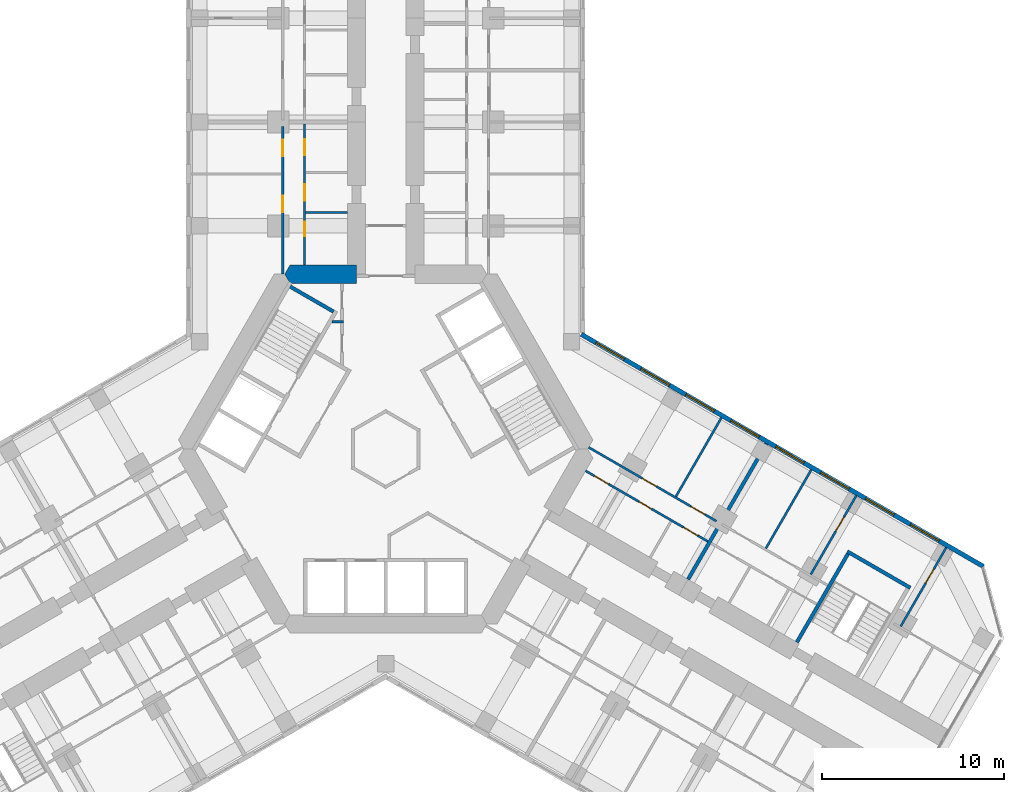
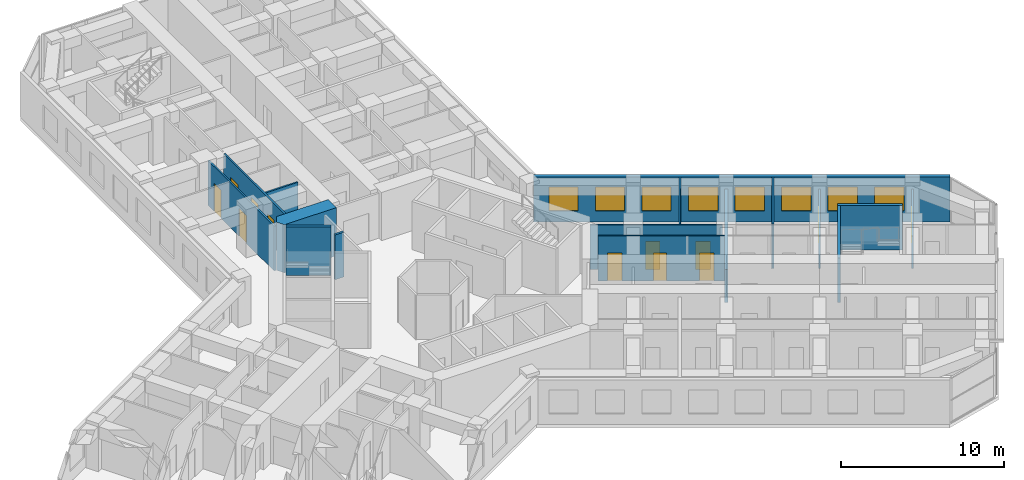
# One storey, part 16 of 21: 16 walls, 12 doors, 8 windows, 20 openings.
"""IFC4 building model written with IfcOpenShell, lengths in metres."""

import ifcopenshell
import ifcopenshell.guid

model = None  # the IFC model being written
_history = None  # IfcOwnerHistory: only IFC2X3 demands one
_inside = {}  # id of a spatial element -> (the spatial element, [elements in it])
_under = {}  # id of a project, library or spatial element -> (it, [spatial elements below it])
_declared = {}  # id of a project -> (the project, [libraries it declares])
_typed = {}  # id of a type object -> (the type object, [elements of that type])
_made_of = {}  # id of a material, layer set ... -> (it, [elements and type objects made of it])


def new_model(schema):
    """Start an empty IFC model of exactly this schema.

    Asked for "IFC4X3", IfcOpenShell would pick the latest addendum, in which some entities
    have other attributes; the version numbers below select the first issue.
    IFC2X3 requires an IfcOwnerHistory on every rooted entity: one is made here for all.
    """
    global model, _history
    if schema == "IFC4X3":
        model = ifcopenshell.file(schema_version=(4, 3, 0, 0))
    else:
        model = ifcopenshell.file(schema=schema)
    _inside.clear()
    _under.clear()
    _declared.clear()
    _typed.clear()
    _made_of.clear()
    _history = None
    if model.schema == "IFC2X3":
        org = make("IfcOrganization", Name="unknown")
        user = make(
            "IfcPersonAndOrganization",
            ThePerson=make("IfcPerson", FamilyName="unknown"),
            TheOrganization=org,
        )
        app = make(
            "IfcApplication",
            ApplicationDeveloper=org,
            Version="unknown",
            ApplicationFullName="unknown",
            ApplicationIdentifier="unknown",
        )
        _history = make(
            "IfcOwnerHistory",
            OwningUser=user,
            OwningApplication=app,
            ChangeAction="ADDED",
            CreationDate=0,
        )
    return model


def make(cls, **values):
    """One entity of the class cls with the attributes given. An attribute that is None is left unset."""
    return model.create_entity(
        cls, **{name: value for name, value in values.items() if value is not None}
    )


def rooted(cls, **values):
    """An entity with a GlobalId (a new one), such as an element, a storey or a relation."""
    return make(cls, GlobalId=ifcopenshell.guid.new(), OwnerHistory=_history, **values)


def si_unit(unit_type, name, prefix=None):
    """IfcSIUnit, for example si_unit("LENGTHUNIT", "METRE", prefix="MILLI")."""
    return make("IfcSIUnit", UnitType=unit_type, Prefix=prefix, Name=name)


def assignment(units):
    """IfcUnitAssignment: the units of a project."""
    return None if units is None else make("IfcUnitAssignment", Units=units)


def point(xyz):
    """IfcCartesianPoint."""
    return None if xyz is None else make("IfcCartesianPoint", Coordinates=xyz)


def direction(xyz):
    """IfcDirection."""
    return None if xyz is None else make("IfcDirection", DirectionRatios=xyz)


def frame(location, z_axis=None, x_axis=None):
    """IfcAxis2Placement3D, a coordinate frame: its origin and axes. An axis left out is left unset."""
    return make(
        "IfcAxis2Placement3D",
        Location=point(location),
        Axis=direction(z_axis),
        RefDirection=direction(x_axis),
    )


def frame_2d(location, x_axis=None):
    """IfcAxis2Placement2D, a coordinate frame in the plane: its origin and x axis."""
    return make(
        "IfcAxis2Placement2D", Location=point(location), RefDirection=direction(x_axis)
    )


def origin():
    """The frame at (0, 0, 0) with its axes left unset."""
    return frame((0.0, 0.0, 0.0))


def place(relative_to, where):
    """IfcLocalPlacement: puts the frame where relative to a parent placement (None: the world)."""
    return make(
        "IfcLocalPlacement", PlacementRelTo=relative_to, RelativePlacement=where
    )


def context(
    kind, dimensions, precision=None, world=None, true_north=None, identifier=None
):
    """IfcGeometricRepresentationContext, for example the 3D "Model" context."""
    return make(
        "IfcGeometricRepresentationContext",
        ContextIdentifier=identifier,
        ContextType=kind,
        CoordinateSpaceDimension=dimensions,
        Precision=precision,
        WorldCoordinateSystem=world,
        TrueNorth=true_north,
    )


def subcontext(parent, identifier, kind, view, scale=None):
    """IfcGeometricRepresentationSubContext, for example "Body" below "Model"."""
    return make(
        "IfcGeometricRepresentationSubContext",
        ContextIdentifier=identifier,
        ContextType=kind,
        ParentContext=parent,
        TargetScale=scale,
        TargetView=view,
    )


def project(units=None, contexts=None):
    """IfcProject with its units and contexts."""
    return rooted(
        "IfcProject",
        Name="project",
        RepresentationContexts=contexts,
        UnitsInContext=assignment(units),
    )


def spatial(cls, under=None, at=None, **own):
    """A site, building, storey or space (cls), placed at a placement, below another one or the project."""
    s = rooted(cls, ObjectPlacement=at, **own)
    if under is not None:
        _under.setdefault(under.id(), (under, []))[1].append(s)
    return s


def polyline(points):
    """IfcPolyline through the points."""
    return make("IfcPolyline", Points=[point(p) for p in points])


def profile(cls, at=None, kind="AREA", **sizes):
    """A parametric profile (cls). Its sizes go by their IFC names, for example OverallWidth=200.0."""
    return make(cls, ProfileType=kind, Position=at, **sizes)


def rectangle(**sizes):
    """IfcRectangleProfileDef."""
    return profile("IfcRectangleProfileDef", **sizes)


def outline(outer, holes=None, kind="AREA"):
    """IfcArbitraryClosedProfileDef: a profile drawn as a closed curve; with holes, ...WithVoids."""
    if holes is None:
        return make("IfcArbitraryClosedProfileDef", ProfileType=kind, OuterCurve=outer)
    return make(
        "IfcArbitraryProfileDefWithVoids",
        ProfileType=kind,
        OuterCurve=outer,
        InnerCurves=holes,
    )


def extrude(swept, where, along, depth):
    """IfcExtrudedAreaSolid: the profile swept, set in the frame where, extruded along a direction by depth."""
    return make(
        "IfcExtrudedAreaSolid",
        SweptArea=swept,
        Position=where,
        ExtrudedDirection=direction(along),
        Depth=depth,
    )


def shape(context_of_items, identifier, shape_type, items):
    """IfcShapeRepresentation: the items that make up one representation, for example the "Body"."""
    return make(
        "IfcShapeRepresentation",
        ContextOfItems=context_of_items,
        RepresentationIdentifier=identifier,
        RepresentationType=shape_type,
        Items=items,
    )


def material(Name=None, Category=None):
    """IfcMaterial."""
    return make("IfcMaterial", Name=Name, Category=Category)


def layer(
    of_material, thickness, ventilated=None, Name=None, Category=None, Priority=None
):
    """IfcMaterialLayer: one layer of a wall or slab, of a material (None: an air gap)."""
    return make(
        "IfcMaterialLayer",
        Material=of_material,
        LayerThickness=thickness,
        IsVentilated=ventilated,
        Name=Name,
        Category=Category,
        Priority=Priority,
    )


def layer_set(layers, Name=None):
    """IfcMaterialLayerSet."""
    return make("IfcMaterialLayerSet", MaterialLayers=layers, LayerSetName=Name)


def made_of(thing, what):
    """Note that an element or type object is made of a material, layer set ...; save() writes the relation."""
    if what is not None:
        _made_of.setdefault(what.id(), (what, []))[1].append(thing)
    return thing


def type_object(cls, material=None, **own):
    """A type object (cls), such as IfcWallType, which elements share."""
    return made_of(rooted(cls, **own), material)


def element(
    cls,
    number,
    at=None,
    inside=None,
    cuts=None,
    type_object=None,
    material=None,
    context=None,
    identifier="Body",
    shape_type=None,
    held_by="IfcProductDefinitionShape",
    body=None,
    shapes=None,
    **own,
):
    """One element of the class cls, such as IfcWall. Its Tag is "e" and its number.

    at: its placement. inside: the storey or other place that contains it. cuts: it is an
    opening in that element (IfcRelVoidsElement). A single representation is given by context,
    identifier, shape_type and body (its items); several are given by shapes. held_by: the class
    of the entity that holds the representations. save() writes the other relations.
    """
    e = rooted(cls, Tag="e%d" % number, ObjectPlacement=at, **own)
    if body is not None:
        shapes = [shape(context, identifier, shape_type, body)]
    if shapes is not None:
        e.Representation = make(held_by, Representations=shapes)
    if inside is not None:
        _inside.setdefault(inside.id(), (inside, []))[1].append(e)
    if cuts is not None:
        rooted(
            "IfcRelVoidsElement", RelatingBuildingElement=cuts, RelatedOpeningElement=e
        )
    if type_object is not None:
        _typed.setdefault(type_object.id(), (type_object, []))[1].append(e)
    return made_of(e, material)


def fill(opening, filler):
    """IfcRelFillsElement: the door or window that sits in an opening."""
    return rooted(
        "IfcRelFillsElement",
        RelatingOpeningElement=opening,
        RelatedBuildingElement=filler,
    )


def aggregate(whole, parts):
    """IfcRelAggregates: a whole, such as a stair, and the parts it consists of."""
    return rooted("IfcRelAggregates", RelatingObject=whole, RelatedObjects=parts)


def save(model, path):
    """Write the relations noted so far, then the file.

    IfcRelAggregates (storeys below a building ...), IfcRelContainedInSpatialStructure (elements
    in a storey), IfcRelDefinesByType, IfcRelAssociatesMaterial and IfcRelDeclares: one each for
    every whole, place, type object, material and project.
    """
    for whole, parts in _under.values():
        aggregate(whole, parts)
    for where, things in _inside.values():
        rooted(
            "IfcRelContainedInSpatialStructure",
            RelatedElements=things,
            RelatingStructure=where,
        )
    for kind, things in _typed.values():
        rooted("IfcRelDefinesByType", RelatedObjects=things, RelatingType=kind)
    for what, things in _made_of.values():
        rooted("IfcRelAssociatesMaterial", RelatedObjects=things, RelatingMaterial=what)
    for by, libraries in _declared.values():
        rooted("IfcRelDeclares", RelatingContext=by, RelatedDefinitions=libraries)
    model.write(path)


model = new_model("IFC4")

# Units and contexts
model_context = context("Model", 3, precision=1e-05, world=origin(), true_north=direction((0.0, 1.0)))
body_context = subcontext(model_context, "Body", "Model", "MODEL_VIEW")
ifc_project = project(units=[si_unit("LENGTHUNIT", "METRE"), si_unit("AREAUNIT", "SQUARE_METRE"), si_unit("VOLUMEUNIT", "CUBIC_METRE"), si_unit("PLANEANGLEUNIT", "RADIAN"), si_unit("MASSUNIT", "GRAM", prefix="KILO")], contexts=[model_context])

# Site, building, storey
site_placement = place(None, origin())
site = spatial("IfcSite", under=ifc_project, at=site_placement, CompositionType="ELEMENT")
building_placement = place(site_placement, origin())
building = spatial("IfcBuilding", under=site, at=building_placement, Name="Kosmar Iwan School Tower", CompositionType="ELEMENT")
storey_placement = place(building_placement, frame((0.0, 0.0, 80.800048828125)))
storey = spatial("IfcBuildingStorey", under=building, at=storey_placement, Name="L19", CompositionType="ELEMENT", Elevation=80.800048828125)

# Walls
ifc_material_1 = material(Name="Gypsum board on steel studs, fire-rated", Category="steel")
ifc_layer_1 = layer(ifc_material_1, 0.14990234375)
ifc_layer_set_1 = layer_set([ifc_layer_1], Name="Core room partition 150")
wall_type_1 = type_object("IfcWallType", Name="Core room partition 150", PredefinedType="PARTITIONING", material=ifc_layer_set_1)
wall_1_placement = place(storey_placement, frame((-2.324951171875, 6.985107421875, 0.0), z_axis=(0.0, 0.0, 1.0), x_axis=(-1.0, 0.0, 0.0)))
element("IfcWall", 1, at=wall_1_placement, inside=storey, type_object=wall_type_1, Name="Core room partition L19-CW2", PredefinedType="PARTITIONING", context=body_context, shape_type="SweptSolid", body=[
    extrude(rectangle(XDim=0.623779296875, YDim=0.14990234375, at=frame_2d((0.31201171875, 0.0))), origin(), (0.0, 0.0, 1.0), 3.349853515625),
])
ifc_material_2 = material(Name="Concrete C50/60", Category="concrete")
ifc_layer_2 = layer(ifc_material_2, 1.0)
ifc_layer_set_2 = layer_set([ifc_layer_2], Name="Core wall 1000")
wall_type_2 = type_object("IfcWallType", Name="Core wall 1000", PredefinedType="SHEAR", material=ifc_layer_set_2)
wall_2_placement = place(storey_placement, origin())
element("IfcWall", 2, at=wall_2_placement, inside=storey, type_object=wall_type_2, Name="Core wall F090b", PredefinedType="SHEAR", context=body_context, shape_type="SweptSolid", body=[
    extrude(outline(polyline([(-5.25390625, 9.10009765625), (-1.60009765625, 9.10009765625), (-1.60009765625, 10.10009765625), (-5.25390625, 10.10009765625), (-5.54248046875, 9.60009765625), (-5.25390625, 9.10009765625)])), origin(), (0.0, 0.0, 1.0), 3.599853515625),
])

# Wall, openings, doors
ifc_material_3 = material(Name="Gypsum board on steel studs", Category="steel")
ifc_layer_3 = layer(ifc_material_3, 0.1201171875)
ifc_layer_set_3 = layer_set([ifc_layer_3], Name="Dwelling partition 120")
wall_type_3 = type_object("IfcWallType", Name="Dwelling partition 120", PredefinedType="PARTITIONING", material=ifc_layer_set_3)
wall_3_placement = place(storey_placement, frame((-4.449951171875, 10.10009765625, 0.0), z_axis=(0.0, 0.0, 1.0), x_axis=(0.0, 1.0, 0.0)))
wall_3 = element("IfcWall", 3, at=wall_3_placement, inside=storey, type_object=wall_type_3, Name="Partition L19-AL1-W1", PredefinedType="PARTITIONING", context=body_context, shape_type="SweptSolid", body=[
    extrude(rectangle(XDim=7.75, YDim=0.1201171875, at=frame_2d((3.875, 0.0))), origin(), (0.0, 0.0, 1.0), 3.349853515625),
])
opening_1_placement = place(wall_3_placement, frame((1.590087890625, 0.0, 0.0)))
opening_1 = element("IfcOpeningElement", 4, at=opening_1_placement, cuts=wall_3, Name="Opening D3", PredefinedType="OPENING", context=body_context, shape_type="SweptSolid", body=[
    extrude(rectangle(XDim=0.800048828125, YDim=2.10009765625, at=frame_2d((0.39990234375, 1.050048828125))), frame((0.0, 0.072021484375, 0.0), z_axis=(0.0, -1.0, 0.0), x_axis=(1.0, 0.0, 0.0)), (0.0, 0.0, 1.0), 0.14404296875),
])
opening_2_placement = place(wall_3_placement, frame((3.530029296875, 0.0, 0.0)))
opening_2 = element("IfcOpeningElement", 5, at=opening_2_placement, cuts=wall_3, Name="Opening D2", PredefinedType="OPENING", context=body_context, shape_type="SweptSolid", body=[
    extrude(rectangle(XDim=0.89990234375, YDim=2.10009765625, at=frame_2d((0.449951171875, 1.050048828125))), frame((0.0, 0.072021484375, 0.0), z_axis=(0.0, -1.0, 0.0), x_axis=(1.0, 0.0, 0.0)), (0.0, 0.0, 1.0), 0.14404296875),
])
opening_3_placement = place(wall_3_placement, frame((6.014892578125, 0.0, 0.0)))
opening_3 = element("IfcOpeningElement", 6, at=opening_3_placement, cuts=wall_3, Name="Opening D2", PredefinedType="OPENING", context=body_context, shape_type="SweptSolid", body=[
    extrude(rectangle(XDim=0.89990234375, YDim=2.10009765625, at=frame_2d((0.449951171875, 1.050048828125))), frame((0.0, 0.072021484375, 0.0), z_axis=(0.0, -1.0, 0.0), x_axis=(1.0, 0.0, 0.0)), (0.0, 0.0, 1.0), 0.14404296875),
])
ifc_material_4 = material(Name="Timber door in timber frame", Category="wood")
door_type_1 = type_object("IfcDoorType", Name="Internal door 900x2100", OperationType="SINGLE_SWING_LEFT", PredefinedType="DOOR", material=ifc_material_4)
door_1_placement = place(opening_2_placement, origin())
door_1 = element("IfcDoor", 7, at=door_1_placement, inside=storey, type_object=door_type_1, Name="Entrance hall door L19-AL1-S2", OperationType="SINGLE_SWING_RIGHT", OverallHeight=2.10009765625, OverallWidth=0.89990234375, PredefinedType="DOOR", context=body_context, shape_type="SweptSolid", body=[
    extrude(rectangle(XDim=0.89990234375, YDim=2.10009765625, at=frame_2d((0.449951171875, 1.050048828125))), frame((0.0, 0.02490234375, 0.0), z_axis=(0.0, -1.0, 0.0), x_axis=(1.0, 0.0, 0.0)), (0.0, 0.0, 1.0), 0.050048828125),
])
fill(opening_2, door_1)
door_2_placement = place(opening_3_placement, origin())
door_2 = element("IfcDoor", 8, at=door_2_placement, inside=storey, type_object=door_type_1, Name="Pantry door L19-AL1-S3", OperationType="SINGLE_SWING_RIGHT", OverallHeight=2.10009765625, OverallWidth=0.89990234375, PredefinedType="DOOR", context=body_context, shape_type="SweptSolid", body=[
    extrude(rectangle(XDim=0.89990234375, YDim=2.10009765625, at=frame_2d((0.449951171875, 1.050048828125))), frame((0.0, 0.02490234375, 0.0), z_axis=(0.0, -1.0, 0.0), x_axis=(1.0, 0.0, 0.0)), (0.0, 0.0, 1.0), 0.050048828125),
])
fill(opening_3, door_2)
ifc_material_5 = material(Name="Timber door in timber frame", Category="wood")
door_type_2 = type_object("IfcDoorType", Name="Sanitary room door 800x2100", OperationType="SINGLE_SWING_LEFT", PredefinedType="DOOR", material=ifc_material_5)
door_3_placement = place(opening_1_placement, origin())
door_3 = element("IfcDoor", 9, at=door_3_placement, inside=storey, type_object=door_type_2, Name="Bathroom door L19-AL1-S1", OperationType="SINGLE_SWING_LEFT", OverallHeight=2.10009765625, OverallWidth=0.800048828125, PredefinedType="DOOR", context=body_context, shape_type="SweptSolid", body=[
    extrude(rectangle(XDim=0.800048828125, YDim=2.10009765625, at=frame_2d((0.39990234375, 1.050048828125))), frame((0.0, 0.02490234375, 0.0), z_axis=(0.0, -1.0, 0.0), x_axis=(1.0, 0.0, 0.0)), (0.0, 0.0, 1.0), 0.050048828125),
])
fill(opening_1, door_3)

wall_4_placement = place(storey_placement, frame((-5.64990234375, 9.60009765625, 0.0), z_axis=(0.0, 0.0, 1.0), x_axis=(0.0, 1.0, 0.0)))
wall_4 = element("IfcWall", 10, at=wall_4_placement, inside=storey, type_object=wall_type_3, Name="Partition L19-AL1-W2", PredefinedType="PARTITIONING", context=body_context, shape_type="SweptSolid", body=[
    extrude(rectangle(XDim=8.099853515625, YDim=0.1201171875, at=frame_2d((4.0498046875, 0.0))), origin(), (0.0, 0.0, 1.0), 3.349853515625),
])
opening_4_placement = place(wall_4_placement, frame((3.39990234375, 0.0, 0.0)))
opening_4 = element("IfcOpeningElement", 11, at=opening_4_placement, cuts=wall_4, Name="Opening D2", PredefinedType="OPENING", context=body_context, shape_type="SweptSolid", body=[
    extrude(rectangle(XDim=0.89990234375, YDim=2.10009765625, at=frame_2d((0.449951171875, 1.050048828125))), frame((0.0, 0.072021484375, 0.0), z_axis=(0.0, -1.0, 0.0), x_axis=(1.0, 0.0, 0.0)), (0.0, 0.0, 1.0), 0.14404296875),
])
opening_5_placement = place(wall_4_placement, frame((6.47509765625, 0.0, 0.0)))
opening_5 = element("IfcOpeningElement", 12, at=opening_5_placement, cuts=wall_4, Name="Opening D2", PredefinedType="OPENING", context=body_context, shape_type="SweptSolid", body=[
    extrude(rectangle(XDim=0.89990234375, YDim=2.10009765625, at=frame_2d((0.449951171875, 1.050048828125))), frame((0.0, 0.072021484375, 0.0), z_axis=(0.0, -1.0, 0.0), x_axis=(1.0, 0.0, 0.0)), (0.0, 0.0, 1.0), 0.14404296875),
])
door_4_placement = place(opening_4_placement, origin())
door_4 = element("IfcDoor", 13, at=door_4_placement, inside=storey, type_object=door_type_1, Name="Living room and kitchen door L19-AL1-F1", OperationType="SINGLE_SWING_RIGHT", OverallHeight=2.10009765625, OverallWidth=0.89990234375, PredefinedType="DOOR", context=body_context, shape_type="SweptSolid", body=[
    extrude(rectangle(XDim=0.89990234375, YDim=2.10009765625, at=frame_2d((0.449951171875, 1.050048828125))), frame((0.0, 0.02490234375, 0.0), z_axis=(0.0, -1.0, 0.0), x_axis=(1.0, 0.0, 0.0)), (0.0, 0.0, 1.0), 0.050048828125),
])
fill(opening_4, door_4)
door_5_placement = place(opening_5_placement, origin())
door_5 = element("IfcDoor", 14, at=door_5_placement, inside=storey, type_object=door_type_1, Name="Bedroom 1 door L19-AL1-F2", OperationType="SINGLE_SWING_RIGHT", OverallHeight=2.10009765625, OverallWidth=0.89990234375, PredefinedType="DOOR", context=body_context, shape_type="SweptSolid", body=[
    extrude(rectangle(XDim=0.89990234375, YDim=2.10009765625, at=frame_2d((0.449951171875, 1.050048828125))), frame((0.0, 0.02490234375, 0.0), z_axis=(0.0, -1.0, 0.0), x_axis=(1.0, 0.0, 0.0)), (0.0, 0.0, 1.0), 0.050048828125),
])
fill(opening_5, door_5)

# Wall
wall_5_placement = place(storey_placement, frame((-2.10009765625, 12.97998046875, 0.0), z_axis=(0.0, 0.0, 1.0), x_axis=(-1.0, 0.0, 0.0)))
element("IfcWall", 15, at=wall_5_placement, inside=storey, type_object=wall_type_3, Name="Partition L19-AL1-Y1", PredefinedType="PARTITIONING", context=body_context, shape_type="SweptSolid", body=[
    extrude(rectangle(XDim=2.289794921875, YDim=0.1201171875, at=frame_2d((1.14501953125, 0.0))), origin(), (0.0, 0.0, 1.0), 3.349853515625),
])

# Wall, openings, doors
wall_6_placement = place(storey_placement, frame((10.971923828125, -1.1962890625, 0.0), z_axis=(0.0, 0.0, 1.0), x_axis=(0.866024534185, -0.500001506187, 0.0)))
wall_6 = element("IfcWall", 16, at=wall_6_placement, inside=storey, type_object=wall_type_3, Name="Partition L19-CL1-W1", PredefinedType="PARTITIONING", context=body_context, shape_type="SweptSolid", body=[
    extrude(rectangle(XDim=7.75, YDim=0.1201171875, at=frame_2d((3.875, 0.0))), origin(), (0.0, 0.0, 1.0), 3.349853515625),
])
opening_6_placement = place(wall_6_placement, frame((0.56005859375, 0.0, 0.0)))
opening_6 = element("IfcOpeningElement", 17, at=opening_6_placement, cuts=wall_6, Name="Opening D2", PredefinedType="OPENING", context=body_context, shape_type="SweptSolid", body=[
    extrude(rectangle(XDim=0.89990234375, YDim=2.10009765625, at=frame_2d((0.449951171875, 1.050048828125))), frame((0.0, 0.072021484375, 0.0), z_axis=(0.0, -1.0, 0.0), x_axis=(1.0, 0.0, 0.0)), (0.0, 0.0, 1.0), 0.14404296875),
])
opening_7_placement = place(wall_6_placement, frame((3.385009765625, 0.0, 0.0)))
opening_7 = element("IfcOpeningElement", 18, at=opening_7_placement, cuts=wall_6, Name="Opening D3", PredefinedType="OPENING", context=body_context, shape_type="SweptSolid", body=[
    extrude(rectangle(XDim=0.800048828125, YDim=2.10009765625, at=frame_2d((0.39990234375, 1.050048828125))), frame((0.0, 0.072021484375, 0.0), z_axis=(0.0, -1.0, 0.0), x_axis=(1.0, 0.0, 0.0)), (0.0, 0.0, 1.0), 0.14404296875),
])
opening_8_placement = place(wall_6_placement, frame((6.199951171875, 0.0, 0.0)))
opening_8 = element("IfcOpeningElement", 19, at=opening_8_placement, cuts=wall_6, Name="Opening D2", PredefinedType="OPENING", context=body_context, shape_type="SweptSolid", body=[
    extrude(rectangle(XDim=0.89990234375, YDim=2.10009765625, at=frame_2d((0.449951171875, 1.050048828125))), frame((0.0, 0.072021484375, 0.0), z_axis=(0.0, -1.0, 0.0), x_axis=(1.0, 0.0, 0.0)), (0.0, 0.0, 1.0), 0.14404296875),
])
door_6_placement = place(opening_6_placement, origin())
door_6 = element("IfcDoor", 20, at=door_6_placement, inside=storey, type_object=door_type_1, Name="Pantry door L19-CL1-S1", OperationType="SINGLE_SWING_LEFT", OverallHeight=2.10009765625, OverallWidth=0.89990234375, PredefinedType="DOOR", context=body_context, shape_type="SweptSolid", body=[
    extrude(rectangle(XDim=0.89990234375, YDim=2.10009765625, at=frame_2d((0.449951171875, 1.050048828125))), frame((0.0, 0.02490234375, 0.0), z_axis=(0.0, -1.0, 0.0), x_axis=(1.0, 0.0, 0.0)), (0.0, 0.0, 1.0), 0.050048828125),
])
fill(opening_6, door_6)
door_7_placement = place(opening_8_placement, origin())
door_7 = element("IfcDoor", 21, at=door_7_placement, inside=storey, type_object=door_type_1, Name="Entrance hall door L19-CL1-S3", OperationType="SINGLE_SWING_RIGHT", OverallHeight=2.10009765625, OverallWidth=0.89990234375, PredefinedType="DOOR", context=body_context, shape_type="SweptSolid", body=[
    extrude(rectangle(XDim=0.89990234375, YDim=2.10009765625, at=frame_2d((0.449951171875, 1.050048828125))), frame((0.0, 0.02490234375, 0.0), z_axis=(0.0, -1.0, 0.0), x_axis=(1.0, 0.0, 0.0)), (0.0, 0.0, 1.0), 0.050048828125),
])
fill(opening_8, door_7)
door_8_placement = place(opening_7_placement, origin())
door_8 = element("IfcDoor", 22, at=door_8_placement, inside=storey, type_object=door_type_2, Name="Bathroom door L19-CL1-S2", OperationType="SINGLE_SWING_RIGHT", OverallHeight=2.10009765625, OverallWidth=0.800048828125, PredefinedType="DOOR", context=body_context, shape_type="SweptSolid", body=[
    extrude(rectangle(XDim=0.800048828125, YDim=2.10009765625, at=frame_2d((0.39990234375, 1.050048828125))), frame((0.0, 0.02490234375, 0.0), z_axis=(0.0, -1.0, 0.0), x_axis=(1.0, 0.0, 0.0)), (0.0, 0.0, 1.0), 0.050048828125),
])
fill(opening_7, door_8)

wall_7_placement = place(storey_placement, frame((11.138916015625, 0.093017578125, 0.0), z_axis=(0.0, 0.0, 1.0), x_axis=(0.866017937352, -0.500012932018, 0.0)))
wall_7 = element("IfcWall", 23, at=wall_7_placement, inside=storey, type_object=wall_type_3, Name="Partition L19-CL1-W2", PredefinedType="PARTITIONING", context=body_context, shape_type="SweptSolid", body=[
    extrude(rectangle(XDim=8.099853515625, YDim=0.1201171875, at=frame_2d((4.0498046875, 0.0))), origin(), (0.0, 0.0, 1.0), 3.349853515625),
])
opening_9_placement = place(wall_7_placement, frame((3.39990234375, 0.0, 0.0)))
opening_9 = element("IfcOpeningElement", 24, at=opening_9_placement, cuts=wall_7, Name="Opening D2", PredefinedType="OPENING", context=body_context, shape_type="SweptSolid", body=[
    extrude(rectangle(XDim=0.89990234375, YDim=2.10009765625, at=frame_2d((0.449951171875, 1.050048828125))), frame((0.0, 0.072021484375, 0.0), z_axis=(0.0, -1.0, 0.0), x_axis=(1.0, 0.0, 0.0)), (0.0, 0.0, 1.0), 0.14404296875),
])
opening_10_placement = place(wall_7_placement, frame((6.47509765625, 0.0, 0.0)))
opening_10 = element("IfcOpeningElement", 25, at=opening_10_placement, cuts=wall_7, Name="Opening D2", PredefinedType="OPENING", context=body_context, shape_type="SweptSolid", body=[
    extrude(rectangle(XDim=0.89990234375, YDim=2.10009765625, at=frame_2d((0.449951171875, 1.050048828125))), frame((0.0, 0.072021484375, 0.0), z_axis=(0.0, -1.0, 0.0), x_axis=(1.0, 0.0, 0.0)), (0.0, 0.0, 1.0), 0.14404296875),
])
door_9_placement = place(opening_9_placement, origin())
door_9 = element("IfcDoor", 26, at=door_9_placement, inside=storey, type_object=door_type_1, Name="Living room and kitchen door L19-CL1-F1", OperationType="SINGLE_SWING_RIGHT", OverallHeight=2.10009765625, OverallWidth=0.89990234375, PredefinedType="DOOR", context=body_context, shape_type="SweptSolid", body=[
    extrude(rectangle(XDim=0.89990234375, YDim=2.10009765625, at=frame_2d((0.449951171875, 1.050048828125))), frame((0.0, 0.02490234375, 0.0), z_axis=(0.0, -1.0, 0.0), x_axis=(1.0, 0.0, 0.0)), (0.0, 0.0, 1.0), 0.050048828125),
])
fill(opening_9, door_9)
door_10_placement = place(opening_10_placement, origin())
door_10 = element("IfcDoor", 27, at=door_10_placement, inside=storey, type_object=door_type_1, Name="Bedroom 1 door L19-CL1-F2", OperationType="SINGLE_SWING_RIGHT", OverallHeight=2.10009765625, OverallWidth=0.89990234375, PredefinedType="DOOR", context=body_context, shape_type="SweptSolid", body=[
    extrude(rectangle(XDim=0.89990234375, YDim=2.10009765625, at=frame_2d((0.449951171875, 1.050048828125))), frame((0.0, 0.02490234375, 0.0), z_axis=(0.0, -1.0, 0.0), x_axis=(1.0, 0.0, 0.0)), (0.0, 0.0, 1.0), 0.050048828125),
])
fill(opening_10, door_10)

# Walls
wall_8_placement = place(storey_placement, frame((15.931884765625, -2.60498046875, 0.0), z_axis=(0.0, 0.0, 1.0), x_axis=(0.500011847778, 0.866018563358, 0.0)))
element("IfcWall", 28, at=wall_8_placement, inside=storey, type_object=wall_type_3, Name="Partition L19-CL1-X1", PredefinedType="PARTITIONING", context=body_context, shape_type="SweptSolid", body=[
    extrude(rectangle(XDim=4.990234375, YDim=0.1201171875, at=frame_2d((2.4951171875, 0.0))), origin(), (0.0, 0.0, 1.0), 3.349853515625),
])
wall_9_placement = place(storey_placement, frame((20.868408203125, -5.455078125, 0.0), z_axis=(0.0, 0.0, 1.0), x_axis=(0.499975153383, 0.86603974851, 0.0)))
element("IfcWall", 29, at=wall_9_placement, inside=storey, type_object=wall_type_3, Name="Partition L19-CL2-X1", PredefinedType="PARTITIONING", context=body_context, shape_type="SweptSolid", body=[
    extrude(rectangle(XDim=4.989990234375, YDim=0.1201171875, at=frame_2d((2.4951171875, 0.0))), origin(), (0.0, 0.0, 1.0), 3.349853515625),
])

# Wall, opening, door
wall_10_placement = place(storey_placement, frame((23.33642578125, -6.8798828125, 0.0), z_axis=(0.0, 0.0, 1.0), x_axis=(0.500033033937, 0.866006330792, 0.0)))
wall_10 = element("IfcWall", 30, at=wall_10_placement, inside=storey, type_object=wall_type_3, Name="Partition L19-CL2-TB", PredefinedType="PARTITIONING", context=body_context, shape_type="SweptSolid", body=[
    extrude(rectangle(XDim=4.989990234375, YDim=0.1201171875, at=frame_2d((2.4951171875, 0.0))), origin(), (0.0, 0.0, 1.0), 2.449951171875),
])
opening_11_placement = place(wall_10_placement, frame((2.739990234375, 0.0, 0.0)))
opening_11 = element("IfcOpeningElement", 31, at=opening_11_placement, cuts=wall_10, Name="Opening D2", PredefinedType="OPENING", context=body_context, shape_type="SweptSolid", body=[
    extrude(rectangle(XDim=0.89990234375, YDim=2.10009765625, at=frame_2d((0.449951171875, 1.050048828125))), frame((0.0, 0.072021484375, 0.0), z_axis=(0.0, -1.0, 0.0), x_axis=(1.0, 0.0, 0.0)), (0.0, 0.0, 1.0), 0.14404296875),
])
door_11_placement = place(opening_11_placement, origin())
door_11 = element("IfcDoor", 32, at=door_11_placement, inside=storey, type_object=door_type_1, Name="Study door L19-CL2-F2", OperationType="SINGLE_SWING_RIGHT", OverallHeight=2.10009765625, OverallWidth=0.89990234375, PredefinedType="DOOR", context=body_context, shape_type="SweptSolid", body=[
    extrude(rectangle(XDim=0.89990234375, YDim=2.10009765625, at=frame_2d((0.449951171875, 1.050048828125))), frame((0.0, 0.02490234375, 0.0), z_axis=(0.0, -1.0, 0.0), x_axis=(1.0, 0.0, 0.0)), (0.0, 0.0, 1.0), 0.050048828125),
])
fill(opening_11, door_11)

wall_11_placement = place(storey_placement, frame((28.27294921875, -9.72998046875, 0.0), z_axis=(0.0, 0.0, 1.0), x_axis=(0.499975153383, 0.86603974851, 0.0)))
wall_11 = element("IfcWall", 33, at=wall_11_placement, inside=storey, type_object=wall_type_3, Name="Partition L19-CL2-TX", PredefinedType="PARTITIONING", context=body_context, shape_type="SweptSolid", body=[
    extrude(rectangle(XDim=4.989990234375, YDim=0.1201171875, at=frame_2d((2.4951171875, 0.0))), origin(), (0.0, 0.0, 1.0), 2.449951171875),
])
opening_12_placement = place(wall_11_placement, frame((2.739990234375, 0.0, 0.0)))
opening_12 = element("IfcOpeningElement", 34, at=opening_12_placement, cuts=wall_11, Name="Opening D2", PredefinedType="OPENING", context=body_context, shape_type="SweptSolid", body=[
    extrude(rectangle(XDim=0.89990234375, YDim=2.10009765625, at=frame_2d((0.449951171875, 1.050048828125))), frame((0.0, 0.072021484375, 0.0), z_axis=(0.0, -1.0, 0.0), x_axis=(1.0, 0.0, 0.0)), (0.0, 0.0, 1.0), 0.14404296875),
])
door_12_placement = place(opening_12_placement, origin())
door_12 = element("IfcDoor", 35, at=door_12_placement, inside=storey, type_object=door_type_1, Name="Study door L19-CL2-T1", OperationType="SINGLE_SWING_RIGHT", OverallHeight=2.10009765625, OverallWidth=0.89990234375, PredefinedType="DOOR", context=body_context, shape_type="SweptSolid", body=[
    extrude(rectangle(XDim=0.89990234375, YDim=2.10009765625, at=frame_2d((0.449951171875, 1.050048828125))), frame((0.0, 0.02490234375, 0.0), z_axis=(0.0, -1.0, 0.0), x_axis=(1.0, 0.0, 0.0)), (0.0, 0.0, 1.0), 0.050048828125),
])
fill(opening_12, door_12)

# Walls
ifc_material_6 = material(Name="Concrete C35/45", Category="concrete")
ifc_layer_4 = layer(ifc_material_6, 0.199951171875)
ifc_layer_set_4 = layer_set([ifc_layer_4], Name="Escape stair wall 200")
wall_type_4 = type_object("IfcWallType", Name="Escape stair wall 200", PredefinedType="SHEAR", material=ifc_layer_set_4)
wall_12_placement = place(storey_placement, frame((22.57080078125, -10.6064453125, 0.0), z_axis=(0.0, 0.0, 1.0), x_axis=(0.499987231761, 0.866032775405, 0.0)))
element("IfcWall", 36, at=wall_12_placement, inside=storey, type_object=wall_type_4, Name="Stair WS3 wall", PredefinedType="SHEAR", context=body_context, shape_type="SweptSolid", body=[
    extrude(rectangle(XDim=5.800048828125, YDim=0.199951171875, at=frame_2d((2.89990234375, 0.0))), origin(), (0.0, 0.0, 1.0), 3.329833984375),
])
wall_13_placement = place(storey_placement, frame((25.334228515625, -5.6201171875, 0.0), z_axis=(0.0, 0.0, 1.0), x_axis=(0.866026010844, -0.49999894854, 0.0)))
element("IfcWall", 37, at=wall_13_placement, inside=storey, type_object=wall_type_4, Name="Stair WS3 wall", PredefinedType="SHEAR", context=body_context, shape_type="SweptSolid", body=[
    extrude(rectangle(XDim=4.0, YDim=0.199951171875, at=frame_2d((2.0, 0.0))), origin(), (0.0, 0.0, 1.0), 3.329833984375),
])

# Wall, openings, windows
ifc_material_7 = material(Name="Black aluminium rainscreen on insulated framing", Category="aluminium")
ifc_layer_5 = layer(ifc_material_7, 0.25)
ifc_layer_set_5 = layer_set([ifc_layer_5], Name="External wall rainscreen 250")
wall_type_5 = type_object("IfcWallType", Name="External wall rainscreen 250", PredefinedType="SOLIDWALL", material=ifc_layer_set_5)
wall_14_placement = place(storey_placement, frame((10.73681640625, 6.30078125, 0.0), z_axis=(0.0, 0.0, 1.0), x_axis=(0.866026390279, -0.499998291337, 0.0)))
wall_14 = element("IfcWall", 38, at=wall_14_placement, inside=storey, type_object=wall_type_5, Name="External wall CL L19", PredefinedType="SOLIDWALL", context=body_context, shape_type="SweptSolid", body=[
    extrude(rectangle(XDim=25.4873046875, YDim=0.25, at=frame_2d((12.74365234375, 0.0))), origin(), (0.0, 0.0, 1.0), 3.349853515625),
])
opening_13_placement = place(wall_14_placement, frame((0.927001953125, 0.0, 0.800048828125)))
opening_13 = element("IfcOpeningElement", 39, at=opening_13_placement, cuts=wall_14, Name="Opening W1", PredefinedType="OPENING", context=body_context, shape_type="SweptSolid", body=[
    extrude(rectangle(XDim=1.800048828125, YDim=1.800048828125, at=frame_2d((0.89990234375, 0.89990234375))), frame((0.0, 0.136962890625, 0.0), z_axis=(0.0, -1.0, 0.0), x_axis=(1.0, 0.0, 0.0)), (0.0, 0.0, 1.0), 0.27392578125),
])
opening_14_placement = place(wall_14_placement, frame((3.777099609375, 0.0, 0.800048828125)))
opening_14 = element("IfcOpeningElement", 40, at=opening_14_placement, cuts=wall_14, Name="Opening W1", PredefinedType="OPENING", context=body_context, shape_type="SweptSolid", body=[
    extrude(rectangle(XDim=1.800048828125, YDim=1.800048828125, at=frame_2d((0.89990234375, 0.89990234375))), frame((0.0, 0.136962890625, 0.0), z_axis=(0.0, -1.0, 0.0), x_axis=(1.0, 0.0, 0.0)), (0.0, 0.0, 1.0), 0.27392578125),
])
opening_15_placement = place(wall_14_placement, frame((6.626953125, 0.0, 0.800048828125)))
opening_15 = element("IfcOpeningElement", 41, at=opening_15_placement, cuts=wall_14, Name="Opening W1", PredefinedType="OPENING", context=body_context, shape_type="SweptSolid", body=[
    extrude(rectangle(XDim=1.800048828125, YDim=1.800048828125, at=frame_2d((0.89990234375, 0.89990234375))), frame((0.0, 0.136962890625, 0.0), z_axis=(0.0, -1.0, 0.0), x_axis=(1.0, 0.0, 0.0)), (0.0, 0.0, 1.0), 0.27392578125),
])
opening_16_placement = place(wall_14_placement, frame((9.47705078125, 0.0, 0.800048828125)))
opening_16 = element("IfcOpeningElement", 42, at=opening_16_placement, cuts=wall_14, Name="Opening W1", PredefinedType="OPENING", context=body_context, shape_type="SweptSolid", body=[
    extrude(rectangle(XDim=1.800048828125, YDim=1.800048828125, at=frame_2d((0.89990234375, 0.89990234375))), frame((0.0, 0.136962890625, 0.0), z_axis=(0.0, -1.0, 0.0), x_axis=(1.0, 0.0, 0.0)), (0.0, 0.0, 1.0), 0.27392578125),
])
opening_17_placement = place(wall_14_placement, frame((12.326904296875, 0.0, 0.800048828125)))
opening_17 = element("IfcOpeningElement", 43, at=opening_17_placement, cuts=wall_14, Name="Opening W1", PredefinedType="OPENING", context=body_context, shape_type="SweptSolid", body=[
    extrude(rectangle(XDim=1.800048828125, YDim=1.800048828125, at=frame_2d((0.89990234375, 0.89990234375))), frame((0.0, 0.136962890625, 0.0), z_axis=(0.0, -1.0, 0.0), x_axis=(1.0, 0.0, 0.0)), (0.0, 0.0, 1.0), 0.27392578125),
])
opening_18_placement = place(wall_14_placement, frame((15.177001953125, 0.0, 0.800048828125)))
opening_18 = element("IfcOpeningElement", 44, at=opening_18_placement, cuts=wall_14, Name="Opening W1", PredefinedType="OPENING", context=body_context, shape_type="SweptSolid", body=[
    extrude(rectangle(XDim=1.800048828125, YDim=1.800048828125, at=frame_2d((0.89990234375, 0.89990234375))), frame((0.0, 0.136962890625, 0.0), z_axis=(0.0, -1.0, 0.0), x_axis=(1.0, 0.0, 0.0)), (0.0, 0.0, 1.0), 0.27392578125),
])
opening_19_placement = place(wall_14_placement, frame((18.027099609375, 0.0, 0.800048828125)))
opening_19 = element("IfcOpeningElement", 45, at=opening_19_placement, cuts=wall_14, Name="Opening W1", PredefinedType="OPENING", context=body_context, shape_type="SweptSolid", body=[
    extrude(rectangle(XDim=1.800048828125, YDim=1.800048828125, at=frame_2d((0.89990234375, 0.89990234375))), frame((0.0, 0.136962890625, 0.0), z_axis=(0.0, -1.0, 0.0), x_axis=(1.0, 0.0, 0.0)), (0.0, 0.0, 1.0), 0.27392578125),
])
opening_20_placement = place(wall_14_placement, frame((20.876953125, 0.0, 0.800048828125)))
opening_20 = element("IfcOpeningElement", 46, at=opening_20_placement, cuts=wall_14, Name="Opening W1", PredefinedType="OPENING", context=body_context, shape_type="SweptSolid", body=[
    extrude(rectangle(XDim=1.800048828125, YDim=1.800048828125, at=frame_2d((0.89990234375, 0.89990234375))), frame((0.0, 0.136962890625, 0.0), z_axis=(0.0, -1.0, 0.0), x_axis=(1.0, 0.0, 0.0)), (0.0, 0.0, 1.0), 0.27392578125),
])
ifc_material_8 = material(Name="Black aluminium frame with dark triple glazing", Category="aluminium")
window_type = type_object("IfcWindowType", Name="Window 1800x1800", PartitioningType="SINGLE_PANEL", PredefinedType="WINDOW", material=ifc_material_8)
window_1_placement = place(opening_13_placement, origin())
window_1 = element("IfcWindow", 47, at=window_1_placement, inside=storey, type_object=window_type, Name="Window CL L19 -1", OverallHeight=1.800048828125, OverallWidth=1.800048828125, PartitioningType="SINGLE_PANEL", PredefinedType="WINDOW", context=body_context, shape_type="SweptSolid", body=[
    extrude(rectangle(XDim=1.800048828125, YDim=1.800048828125, at=frame_2d((0.89990234375, 0.89990234375))), frame((0.0, 0.030029296875, 0.0), z_axis=(0.0, -1.0, 0.0), x_axis=(1.0, 0.0, 0.0)), (0.0, 0.0, 1.0), 0.06005859375),
])
fill(opening_13, window_1)
window_2_placement = place(opening_14_placement, origin())
window_2 = element("IfcWindow", 48, at=window_2_placement, inside=storey, type_object=window_type, Name="Window CL L19 0", OverallHeight=1.800048828125, OverallWidth=1.800048828125, PartitioningType="SINGLE_PANEL", PredefinedType="WINDOW", context=body_context, shape_type="SweptSolid", body=[
    extrude(rectangle(XDim=1.800048828125, YDim=1.800048828125, at=frame_2d((0.89990234375, 0.89990234375))), frame((0.0, 0.030029296875, 0.0), z_axis=(0.0, -1.0, 0.0), x_axis=(1.0, 0.0, 0.0)), (0.0, 0.0, 1.0), 0.06005859375),
])
fill(opening_14, window_2)
window_3_placement = place(opening_15_placement, origin())
window_3 = element("IfcWindow", 49, at=window_3_placement, inside=storey, type_object=window_type, Name="Window CL L19 1", OverallHeight=1.800048828125, OverallWidth=1.800048828125, PartitioningType="SINGLE_PANEL", PredefinedType="WINDOW", context=body_context, shape_type="SweptSolid", body=[
    extrude(rectangle(XDim=1.800048828125, YDim=1.800048828125, at=frame_2d((0.89990234375, 0.89990234375))), frame((0.0, 0.030029296875, 0.0), z_axis=(0.0, -1.0, 0.0), x_axis=(1.0, 0.0, 0.0)), (0.0, 0.0, 1.0), 0.06005859375),
])
fill(opening_15, window_3)
window_4_placement = place(opening_16_placement, origin())
window_4 = element("IfcWindow", 50, at=window_4_placement, inside=storey, type_object=window_type, Name="Window CL L19 2", OverallHeight=1.800048828125, OverallWidth=1.800048828125, PartitioningType="SINGLE_PANEL", PredefinedType="WINDOW", context=body_context, shape_type="SweptSolid", body=[
    extrude(rectangle(XDim=1.800048828125, YDim=1.800048828125, at=frame_2d((0.89990234375, 0.89990234375))), frame((0.0, 0.030029296875, 0.0), z_axis=(0.0, -1.0, 0.0), x_axis=(1.0, 0.0, 0.0)), (0.0, 0.0, 1.0), 0.06005859375),
])
fill(opening_16, window_4)
window_5_placement = place(opening_17_placement, origin())
window_5 = element("IfcWindow", 51, at=window_5_placement, inside=storey, type_object=window_type, Name="Window CL L19 3", OverallHeight=1.800048828125, OverallWidth=1.800048828125, PartitioningType="SINGLE_PANEL", PredefinedType="WINDOW", context=body_context, shape_type="SweptSolid", body=[
    extrude(rectangle(XDim=1.800048828125, YDim=1.800048828125, at=frame_2d((0.89990234375, 0.89990234375))), frame((0.0, 0.030029296875, 0.0), z_axis=(0.0, -1.0, 0.0), x_axis=(1.0, 0.0, 0.0)), (0.0, 0.0, 1.0), 0.06005859375),
])
fill(opening_17, window_5)
window_6_placement = place(opening_18_placement, origin())
window_6 = element("IfcWindow", 52, at=window_6_placement, inside=storey, type_object=window_type, Name="Window CL L19 4", OverallHeight=1.800048828125, OverallWidth=1.800048828125, PartitioningType="SINGLE_PANEL", PredefinedType="WINDOW", context=body_context, shape_type="SweptSolid", body=[
    extrude(rectangle(XDim=1.800048828125, YDim=1.800048828125, at=frame_2d((0.89990234375, 0.89990234375))), frame((0.0, 0.030029296875, 0.0), z_axis=(0.0, -1.0, 0.0), x_axis=(1.0, 0.0, 0.0)), (0.0, 0.0, 1.0), 0.06005859375),
])
fill(opening_18, window_6)
window_7_placement = place(opening_19_placement, origin())
window_7 = element("IfcWindow", 53, at=window_7_placement, inside=storey, type_object=window_type, Name="Window CL L19 5", OverallHeight=1.800048828125, OverallWidth=1.800048828125, PartitioningType="SINGLE_PANEL", PredefinedType="WINDOW", context=body_context, shape_type="SweptSolid", body=[
    extrude(rectangle(XDim=1.800048828125, YDim=1.800048828125, at=frame_2d((0.89990234375, 0.89990234375))), frame((0.0, 0.030029296875, 0.0), z_axis=(0.0, -1.0, 0.0), x_axis=(1.0, 0.0, 0.0)), (0.0, 0.0, 1.0), 0.06005859375),
])
fill(opening_19, window_7)
window_8_placement = place(opening_20_placement, origin())
window_8 = element("IfcWindow", 54, at=window_8_placement, inside=storey, type_object=window_type, Name="Window CL L19 6", OverallHeight=1.800048828125, OverallWidth=1.800048828125, PartitioningType="SINGLE_PANEL", PredefinedType="WINDOW", context=body_context, shape_type="SweptSolid", body=[
    extrude(rectangle(XDim=1.800048828125, YDim=1.800048828125, at=frame_2d((0.89990234375, 0.89990234375))), frame((0.0, 0.030029296875, 0.0), z_axis=(0.0, -1.0, 0.0), x_axis=(1.0, 0.0, 0.0)), (0.0, 0.0, 1.0), 0.06005859375),
])
fill(opening_20, window_8)

# Walls
ifc_material_9 = material(Name="Concrete block masonry", Category="masonry")
ifc_layer_6 = layer(ifc_material_9, 0.199951171875)
ifc_layer_set_6 = layer_set([ifc_layer_6], Name="Party wall 200")
wall_type_6 = type_object("IfcWallType", Name="Party wall 200", PredefinedType="PARTITIONING", material=ifc_layer_set_6)
wall_15_placement = place(storey_placement, frame((16.59521484375, -7.15625, 0.0), z_axis=(0.0, 0.0, 1.0), x_axis=(0.500007509209, 0.866021068297, 0.0)))
element("IfcWall", 55, at=wall_15_placement, inside=storey, type_object=wall_type_6, Name="Partition L19-CL2-PW", PredefinedType="PARTITIONING", context=body_context, shape_type="SweptSolid", body=[
    extrude(rectangle(XDim=8.599853515625, YDim=0.199951171875, at=frame_2d((4.2998046875, 0.0))), origin(), (0.0, 0.0, 1.0), 2.449951171875),
])
ifc_material_10 = material(Name="Concrete C50/60", Category="concrete")
ifc_layer_7 = layer(ifc_material_10, 0.199951171875)
ifc_layer_set_7 = layer_set([ifc_layer_7], Name="Stair enclosure wall 200")
wall_type_7 = type_object("IfcWallType", Name="Stair enclosure wall 200", PredefinedType="SHEAR", material=ifc_layer_set_7)
wall_16_placement = place(storey_placement, frame((-2.862548828125, 7.541748046875, 0.0), z_axis=(0.0, 0.0, 1.0), x_axis=(-0.866027397988, 0.499996545922, 0.0)))
element("IfcWall", 56, at=wall_16_placement, inside=storey, type_object=wall_type_7, Name="Stair ST2 wall", PredefinedType="SHEAR", context=body_context, shape_type="SweptSolid", body=[
    extrude(rectangle(XDim=2.75, YDim=0.199951171875, at=frame_2d((1.375, 0.0))), origin(), (0.0, 0.0, 1.0), 3.599853515625),
])

save(model, "model.ifc")
